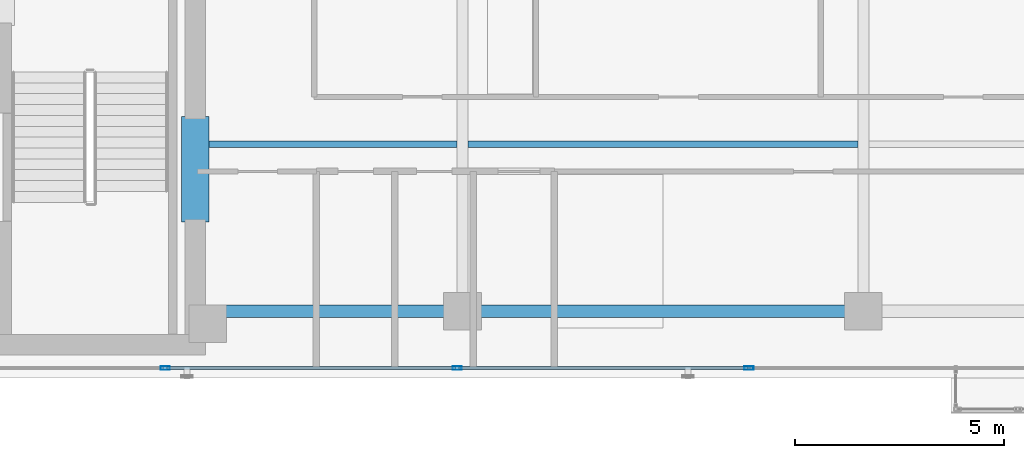
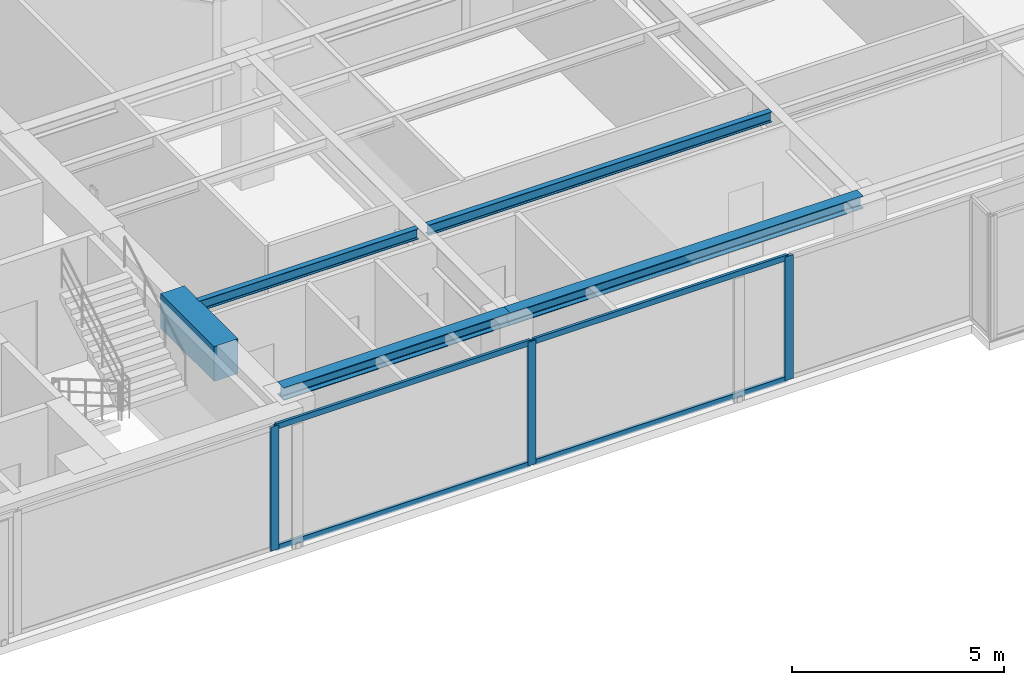
# One storey, part 4 of 23: 7 members, 5 beams, 1 element without a shape of its own.
"""IFC4 building model written with IfcOpenShell, lengths in metres."""

from ifc_helpers import new_model, si_unit, direction, frame, origin, origin_with_axes, origin_2d, place, context, subcontext, project, spatial, rectangle, hollow_rectangle, i_section, extrude, source, transform, mapped, material, layer, layer_set, material_profile, profile_set, type_object, element, aggregate, save


model = new_model("IFC4")

# Units and contexts
model_context = context("Model", 3, precision=1e-05, world=origin(), true_north=direction((0.0, 1.0)))
body_context = subcontext(model_context, "Body", "Model", "MODEL_VIEW")
ifc_project = project(units=[si_unit("LENGTHUNIT", "METRE"), si_unit("AREAUNIT", "SQUARE_METRE"), si_unit("VOLUMEUNIT", "CUBIC_METRE"), si_unit("PLANEANGLEUNIT", "RADIAN"), si_unit("MASSUNIT", "GRAM", prefix="KILO")], contexts=[model_context])

# Site, building, storey
site_placement = place(None, origin())
site = spatial("IfcSite", under=ifc_project, at=site_placement, CompositionType="ELEMENT")
building_placement = place(site_placement, origin())
building = spatial("IfcBuilding", under=site, at=building_placement, Name="Kolvaren Waterfront Exchange", CompositionType="ELEMENT")
storey_placement = place(building_placement, frame((0.0, 0.0, 289.39990234375)))
storey = spatial("IfcBuildingStorey", under=building, at=storey_placement, Name="L74", CompositionType="ELEMENT", Elevation=289.39990234375)

# Beams
ifc_material_1 = material(Name="Steel S355", Category="steel")
ifc_material_profile_1 = material_profile(ifc_material_1, i_section(OverallWidth=0.300048828125, OverallDepth=0.360107421875, WebThickness=0.012451171875, FlangeThickness=0.0224609375, FilletRadius=0.027099609375, at=origin_2d()), Name="HEB360")
ifc_profile_set_1 = profile_set([ifc_material_profile_1], Name="Steel S355")
beam_type_1 = type_object("IfcBeamType", Name="STR-BM-HEB360", PredefinedType="SPANDREL", material=ifc_profile_set_1)
beam_1_placement = place(storey_placement, frame((21.050048828125, 5.199951171875, 3.380126953125), z_axis=(1.0, 0.0, 0.0), x_axis=(0.0, 1.0, 0.0)))
element("IfcBeam", 1, at=beam_1_placement, inside=storey, type_object=beam_type_1, Name="L74 east-arm spandrel S1", PredefinedType="SPANDREL", context=body_context, shape_type="SweptSolid", body=[
    extrude(i_section(OverallWidth=0.300048828125, OverallDepth=0.360107421875, WebThickness=0.012451171875, FlangeThickness=0.0224609375, FilletRadius=0.027099609375, at=origin_2d()), origin(), (0.0, 0.0, 1.0), 6.14990234375),
])
beam_2_placement = place(storey_placement, frame((27.199951171875, 5.199951171875, 3.380126953125), z_axis=(1.0, 0.0, 0.0), x_axis=(0.0, 1.0, 0.0)))
element("IfcBeam", 2, at=beam_2_placement, inside=storey, type_object=beam_type_1, Name="L74 east-arm spandrel S2", PredefinedType="SPANDREL", context=body_context, shape_type="SweptSolid", body=[
    extrude(i_section(OverallWidth=0.300048828125, OverallDepth=0.360107421875, WebThickness=0.012451171875, FlangeThickness=0.0224609375, FilletRadius=0.027099609375, at=origin_2d()), origin(), (0.0, 0.0, 1.0), 9.60009765625),
])
ifc_material_profile_2 = material_profile(ifc_material_1, i_section(OverallWidth=0.14990234375, OverallDepth=0.300048828125, WebThickness=0.007080078125, FlangeThickness=0.0107421875, FilletRadius=0.014892578125, at=origin_2d()), Name="IPE300")
ifc_profile_set_2 = profile_set([ifc_material_profile_2], Name="Steel S355")
beam_type_2 = type_object("IfcBeamType", Name="STR-BM-IPE300", PredefinedType="JOIST", material=ifc_profile_set_2)
beam_3_placement = place(storey_placement, frame((21.10009765625, 9.199951171875, 3.41015625), z_axis=(1.0, 0.0, 0.0), x_axis=(0.0, 1.0, 0.0)))
element("IfcBeam", 3, at=beam_3_placement, inside=storey, type_object=beam_type_2, Name="L74 east-arm composite joist 1B", PredefinedType="JOIST", context=body_context, shape_type="SweptSolid", body=[
    extrude(i_section(OverallWidth=0.14990234375, OverallDepth=0.300048828125, WebThickness=0.007080078125, FlangeThickness=0.0107421875, FilletRadius=0.014892578125, at=origin_2d()), origin(), (0.0, 0.0, 1.0), 5.96435546875),
])
beam_4_placement = place(storey_placement, frame((27.33544921875, 9.199951171875, 3.41015625), z_axis=(1.0, 0.0, 0.0), x_axis=(0.0, 1.0, 0.0)))
element("IfcBeam", 4, at=beam_4_placement, inside=storey, type_object=beam_type_2, Name="L74 east-arm composite joist 2B", PredefinedType="JOIST", context=body_context, shape_type="SweptSolid", body=[
    extrude(i_section(OverallWidth=0.14990234375, OverallDepth=0.300048828125, WebThickness=0.007080078125, FlangeThickness=0.0107421875, FilletRadius=0.014892578125, at=origin_2d()), origin(), (0.0, 0.0, 1.0), 9.3291015625),
])
ifc_material_2 = material(Name="Concrete C60/75", Category="concrete")
ifc_material_profile_3 = material_profile(ifc_material_2, rectangle(XDim=0.64990234375, YDim=1.0, at=origin_2d()), Name="RC-CB-1000x650")
ifc_profile_set_3 = profile_set([ifc_material_profile_3], Name="Concrete C60/75")
beam_type_3 = type_object("IfcBeamType", Name="STR-CB-1000", PredefinedType="SPANDREL", material=ifc_profile_set_3)
beam_5_placement = place(storey_placement, frame((20.800048828125, 7.340087890625, 3.06005859375), z_axis=(0.0, 1.0, 0.0), x_axis=(-1.0, 0.0, 0.0)))
element("IfcBeam", 5, at=beam_5_placement, inside=storey, type_object=beam_type_3, Name="L74 core coupling beam 1", PredefinedType="SPANDREL", context=body_context, shape_type="SweptSolid", body=[
    extrude(rectangle(XDim=0.64990234375, YDim=1.0, at=origin_2d()), origin(), (0.0, 0.0, 1.0), 2.52001953125),
])

# Curtain wall, members
ifc_material_3 = material(Name="Anodised bronze aluminium 6063-T6", Category="aluminium")
ifc_layer = layer(ifc_material_3, 0.219970703125, Name="Anodised bronze aluminium 6063-T6")
ifc_layer_set = layer_set([ifc_layer], Name="Anodised bronze aluminium 6063-T6")
curtain_wall_type = type_object("IfcCurtainWallType", Name="ARC-CW-SYS1", PredefinedType="USERDEFINED", material=ifc_layer_set)
curtain_wall_placement = place(storey_placement, origin())
curtain_wall = element("IfcCurtainWall", 6, at=curtain_wall_placement, inside=storey, type_object=curtain_wall_type, Name="L74 stick curtain wall CW1 (CW-L74-S)", ObjectType="STICK CURTAIN WALL", PredefinedType="USERDEFINED")
ifc_material_4 = material(Name="Anodised aluminium 6063-T6", Category="aluminium")
ifc_material_profile_4 = material_profile(ifc_material_4, hollow_rectangle(XDim=0.080078125, YDim=0.219970703125, WallThickness=0.0048828125, at=origin_2d()), Name="ALU-MUL-220x80x5")
ifc_profile_set_4 = profile_set([ifc_material_profile_4], Name="Anodised aluminium 6063-T6")
member_type_1 = type_object("IfcMemberType", Name="ARC-CWM-220", PredefinedType="MULLION", material=ifc_profile_set_4)
shared_shape_1 = source(origin_with_axes(), body_context, "Body", "SweptSolid", [
    extrude(hollow_rectangle(XDim=0.080078125, YDim=0.219970703125, WallThickness=0.0048828125, at=origin_2d()), origin(), (0.0, 0.0, 1.0), 3.56005859375),
])
member_1_placement = place(storey_placement, frame((20.080810546875, 3.840087890625, 0.0), z_axis=(0.0, 0.0, 1.0), x_axis=(0.0, 1.0, 0.0)))
member_1 = element("IfcMember", 7, at=member_1_placement, type_object=member_type_1, Name="CW1 mullion 3", PredefinedType="MULLION", context=body_context, shape_type="MappedRepresentation", body=[
    mapped(shared_shape_1, transform((0.0, 0.0, 0.0), x_axis=(1.0, 0.0, 0.0), y_axis=(0.0, 1.0, 0.0), z_axis=(0.0, 0.0, 1.0), scale=1.0)),
])
member_2_placement = place(storey_placement, frame((27.071044921875, 3.840087890625, 0.0), z_axis=(0.0, 0.0, 1.0), x_axis=(0.0, 1.0, 0.0)))
member_2 = element("IfcMember", 8, at=member_2_placement, type_object=member_type_1, Name="CW1 mullion 4", PredefinedType="MULLION", context=body_context, shape_type="MappedRepresentation", body=[
    mapped(shared_shape_1, transform((0.0, 0.0, 0.0), x_axis=(1.0, 0.0, 0.0), y_axis=(0.0, 1.0, 0.0), z_axis=(0.0, 0.0, 1.0), scale=1.0)),
])
member_3_placement = place(storey_placement, frame((34.061279296875, 3.840087890625, 0.0), z_axis=(0.0, 0.0, 1.0), x_axis=(0.0, 1.0, 0.0)))
member_3 = element("IfcMember", 9, at=member_3_placement, type_object=member_type_1, Name="CW1 mullion 5", PredefinedType="MULLION", context=body_context, shape_type="MappedRepresentation", body=[
    mapped(shared_shape_1, transform((0.0, 0.0, 0.0), x_axis=(1.0, 0.0, 0.0), y_axis=(0.0, 1.0, 0.0), z_axis=(0.0, 0.0, 1.0), scale=1.0)),
])
ifc_material_profile_5 = material_profile(ifc_material_4, hollow_rectangle(XDim=0.074951171875, YDim=0.159912109375, WallThickness=0.00439453125, at=origin_2d()), Name="ALU-TRN-160x75x4.5")
ifc_profile_set_5 = profile_set([ifc_material_profile_5], Name="Anodised aluminium 6063-T6")
member_type_2 = type_object("IfcMemberType", Name="ARC-CWT-160", PredefinedType="USERDEFINED", material=ifc_profile_set_5)
shared_shape_2 = source(origin_with_axes(), body_context, "Body", "SweptSolid", [
    extrude(hollow_rectangle(XDim=0.074951171875, YDim=0.159912109375, WallThickness=0.00439453125, at=origin_2d()), origin(), (0.0, 0.0, 1.0), 6.910400390625),
])
member_4_placement = place(storey_placement, frame((20.12060546875, 3.840087890625, 0.03759765625), z_axis=(1.0, 0.0, 0.0), x_axis=(0.0, 1.0, 0.0)))
member_4 = element("IfcMember", 10, at=member_4_placement, type_object=member_type_2, Name="CW1 transom 3.1", ObjectType="TRANSOM", PredefinedType="USERDEFINED", context=body_context, shape_type="MappedRepresentation", body=[
    mapped(shared_shape_2, transform((0.0, 0.0, 0.0), x_axis=(1.0, 0.0, 0.0), y_axis=(0.0, 1.0, 0.0), z_axis=(0.0, 0.0, 1.0), scale=1.0)),
])
member_5_placement = place(storey_placement, frame((20.12060546875, 3.840087890625, 3.522705078125), z_axis=(1.0, 0.0, 0.0), x_axis=(0.0, 1.0, 0.0)))
member_5 = element("IfcMember", 11, at=member_5_placement, type_object=member_type_2, Name="CW1 transom 3.2", ObjectType="TRANSOM", PredefinedType="USERDEFINED", context=body_context, shape_type="MappedRepresentation", body=[
    mapped(shared_shape_2, transform((0.0, 0.0, 0.0), x_axis=(1.0, 0.0, 0.0), y_axis=(0.0, 1.0, 0.0), z_axis=(0.0, 0.0, 1.0), scale=1.0)),
])
member_6_placement = place(storey_placement, frame((27.111083984375, 3.840087890625, 0.03759765625), z_axis=(1.0, 0.0, 0.0), x_axis=(0.0, 1.0, 0.0)))
member_6 = element("IfcMember", 12, at=member_6_placement, type_object=member_type_2, Name="CW1 transom 4.1", ObjectType="TRANSOM", PredefinedType="USERDEFINED", context=body_context, shape_type="MappedRepresentation", body=[
    mapped(shared_shape_2, transform((0.0, 0.0, 0.0), x_axis=(1.0, 0.0, 0.0), y_axis=(0.0, 1.0, 0.0), z_axis=(0.0, 0.0, 1.0), scale=1.0)),
])
member_7_placement = place(storey_placement, frame((27.111083984375, 3.840087890625, 3.522705078125), z_axis=(1.0, 0.0, 0.0), x_axis=(0.0, 1.0, 0.0)))
member_7 = element("IfcMember", 13, at=member_7_placement, type_object=member_type_2, Name="CW1 transom 4.2", ObjectType="TRANSOM", PredefinedType="USERDEFINED", context=body_context, shape_type="MappedRepresentation", body=[
    mapped(shared_shape_2, transform((0.0, 0.0, 0.0), x_axis=(1.0, 0.0, 0.0), y_axis=(0.0, 1.0, 0.0), z_axis=(0.0, 0.0, 1.0), scale=1.0)),
])
aggregate(curtain_wall, [member_1, member_2, member_3, member_4, member_5, member_6, member_7])

save(model, "model.ifc")
